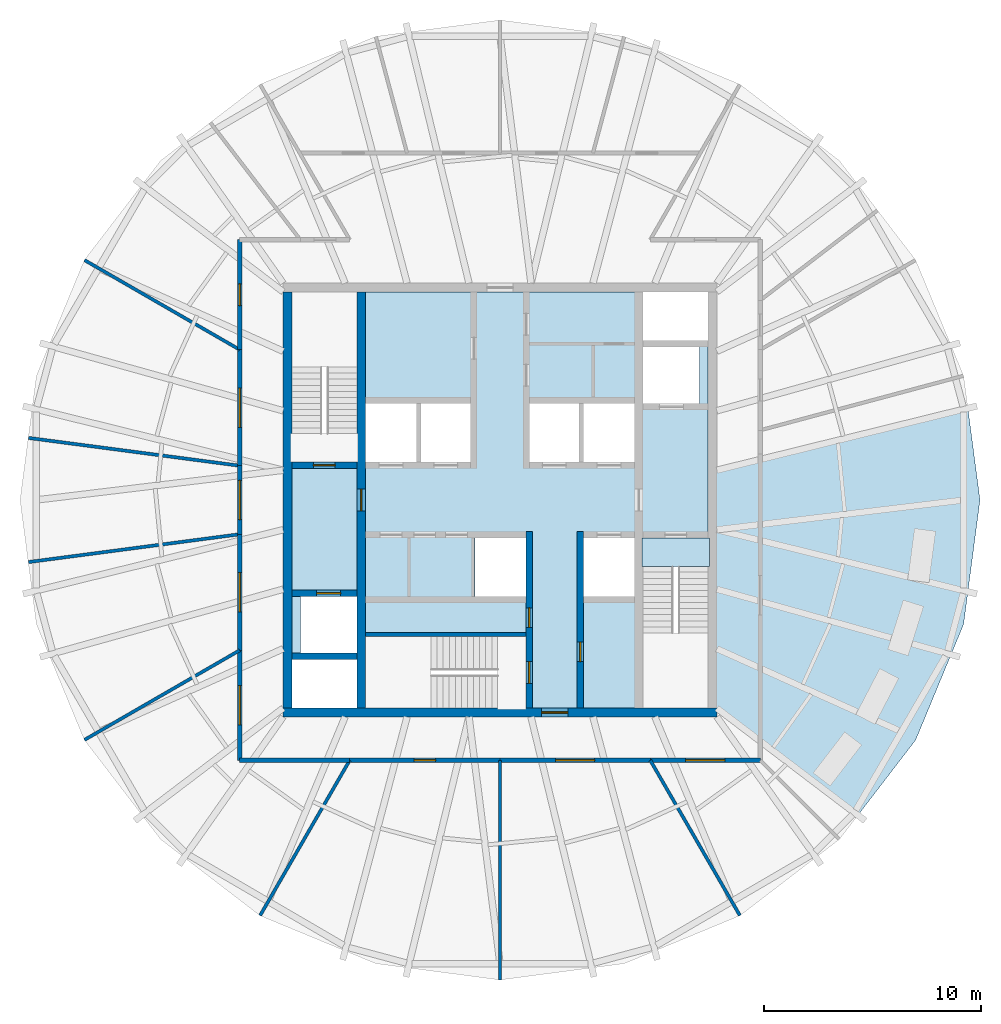
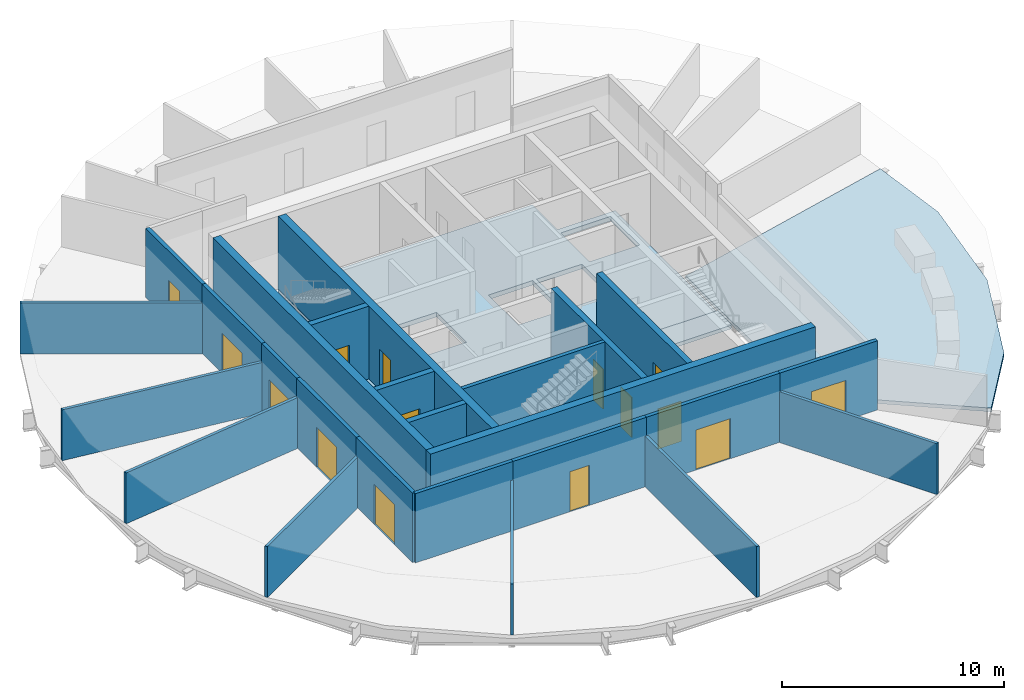
# One storey, part 3 of 7: 25 walls, 15 doors, 3 slabs, 15 openings.
"""IFC4 building model written with IfcOpenShell, lengths in metres."""

from ifc_helpers import new_model, si_unit, direction, frame, frame_2d, origin, place, context, subcontext, project, spatial, polyline, rectangle, outline, extrude, material, layer, layer_set, type_object, element, fill, save


model = new_model("IFC4")

# Units and contexts
model_context = context("Model", 3, precision=1e-05, world=origin(), true_north=direction((0.0, 1.0)))
body_context = subcontext(model_context, "Body", "Model", "MODEL_VIEW")
ifc_project = project(units=[si_unit("LENGTHUNIT", "METRE"), si_unit("AREAUNIT", "SQUARE_METRE"), si_unit("VOLUMEUNIT", "CUBIC_METRE"), si_unit("PLANEANGLEUNIT", "RADIAN"), si_unit("MASSUNIT", "GRAM", prefix="KILO")], contexts=[model_context])

# Site, building, storey
site_placement = place(None, origin())
site = spatial("IfcSite", under=ifc_project, at=site_placement, CompositionType="ELEMENT")
building_placement = place(site_placement, origin())
building = spatial("IfcBuilding", under=site, at=building_placement, Name="Golbaran Civic Tower", CompositionType="ELEMENT")
storey_placement = place(building_placement, frame((0.0, 0.0, 260.0)))
storey = spatial("IfcBuildingStorey", under=building, at=storey_placement, Name="L63", CompositionType="ELEMENT", Elevation=260.0)

# Slabs
ifc_material_1 = material(Name="Concrete LC30/33 lightweight on steel deck", Category="concrete")
ifc_layer_1 = layer(ifc_material_1, 0.199951171875, Name="Concrete LC30/33 lightweight on steel deck")
ifc_layer_set_1 = layer_set([ifc_layer_1], Name="Concrete LC30/33 lightweight on steel deck")
slab_type_1 = type_object("IfcSlabType", Name="COMPOSITE FLOOR SLAB 200", PredefinedType="FLOOR", material=ifc_layer_set_1)
slab_1_placement = place(storey_placement, frame((0.0, 0.0, -0.199951171875)))
element("IfcSlab", 1, at=slab_1_placement, inside=storey, type_object=slab_type_1, Name="Sky garden deck L63", PredefinedType="FLOOR", context=body_context, shape_type="SweptSolid", body=[
    extrude(outline(polyline([(16.50390625, -14.536865234375), (10.0, -9.60009765625), (9.800048828125, -9.407958984375), (9.800048828125, 1.343994140625), (10.0, 1.371337890625), (21.5751953125, 4.230712890625), (22.13232421875, 0.0), (21.378173828125, -5.728271484375), (19.167236328125, -11.066162109375), (16.50390625, -14.536865234375)])), origin(), (0.0, 0.0, 1.0), 0.199951171875),
])
ifc_material_2 = material(Name="Concrete C35/45", Category="concrete")
ifc_layer_2 = layer(ifc_material_2, 0.25, Name="Concrete C35/45")
ifc_layer_set_2 = layer_set([ifc_layer_2], Name="Concrete C35/45")
slab_type_2 = type_object("IfcSlabType", Name="CORE FLOOR SLAB 250", PredefinedType="FLOOR", material=ifc_layer_set_2)
slab_2_placement = place(storey_placement, frame((0.0, 0.0, -0.25)))
element("IfcSlab", 2, at=slab_2_placement, inside=storey, type_object=slab_type_2, Name="Core floor slab L63", PredefinedType="FLOOR", context=body_context, shape_type="SweptSolid", body=[
    extrude(outline(polyline([(6.60009765625, -1.75), (6.60009765625, -9.60009765625), (1.199951171875, -9.60009765625), (1.199951171875, -6.300048828125), (-6.199951171875, -6.300048828125), (-6.199951171875, -9.60009765625), (-6.60009765625, -9.60009765625), (-6.60009765625, -7.35009765625), (-9.60009765625, -7.35009765625), (-9.60009765625, 1.75), (-6.60009765625, 1.75), (-6.60009765625, 9.60009765625), (6.60009765625, 9.60009765625), (6.60009765625, 7.35009765625), (9.60009765625, 7.35009765625), (9.60009765625, -1.75), (6.60009765625, -1.75)]), holes=[polyline([(9.199951171875, 7.050048828125), (6.60009765625, 7.050048828125), (6.60009765625, 4.449951171875), (9.199951171875, 4.449951171875), (9.199951171875, 7.050048828125)]), polyline([(6.199951171875, -1.75), (3.85009765625, -1.75), (3.85009765625, -4.449951171875), (6.199951171875, -4.449951171875), (6.199951171875, -1.75)]), polyline([(6.199951171875, 4.449951171875), (3.85009765625, 4.449951171875), (3.85009765625, 1.75), (6.199951171875, 1.75), (6.199951171875, 4.449951171875)]), polyline([(3.64990234375, 4.449951171875), (1.35009765625, 4.449951171875), (1.35009765625, 1.75), (3.64990234375, 1.75), (3.64990234375, 4.449951171875)]), polyline([(-1.14990234375, -1.75), (-1.14990234375, -4.449951171875), (1.199951171875, -4.449951171875), (1.199951171875, -1.75), (-1.14990234375, -1.75)]), polyline([(-1.35009765625, 4.449951171875), (-3.64990234375, 4.449951171875), (-3.64990234375, 1.75), (-1.35009765625, 1.75), (-1.35009765625, 4.449951171875)]), polyline([(-3.85009765625, 4.449951171875), (-6.199951171875, 4.449951171875), (-6.199951171875, 1.75), (-3.85009765625, 1.75), (-3.85009765625, 4.449951171875)]), polyline([(-6.60009765625, -4.449951171875), (-9.199951171875, -4.449951171875), (-9.199951171875, -7.050048828125), (-6.60009765625, -7.050048828125), (-6.60009765625, -4.449951171875)])]), origin(), (0.0, 0.0, 1.0), 0.25),
])
ifc_layer_3 = layer(ifc_material_2, 0.199951171875, Name="Concrete C35/45")
ifc_layer_set_3 = layer_set([ifc_layer_3], Name="Concrete C35/45")
slab_type_3 = type_object("IfcSlabType", Name="STAIR LANDING 200", PredefinedType="LANDING", material=ifc_layer_set_3)
slab_3_placement = place(storey_placement, frame((0.0, 0.0, -0.199951171875)))
element("IfcSlab", 3, at=slab_3_placement, inside=storey, type_object=slab_type_3, Name="Stair S2 floor landing L63", PredefinedType="LANDING", context=body_context, shape_type="SweptSolid", body=[
    extrude(outline(polyline([(9.64990234375, -1.75), (9.64990234375, -3.054931640625), (6.550048828125, -3.054931640625), (6.550048828125, -1.75), (9.64990234375, -1.75)])), origin(), (0.0, 0.0, 1.0), 0.199951171875),
])

# Wall, opening, door
ifc_material_3 = material(Name="Concrete C50/60", Category="concrete")
ifc_layer_4 = layer(ifc_material_3, 0.39990234375, Name="Concrete C50/60")
ifc_layer_set_4 = layer_set([ifc_layer_4], Name="Concrete C50/60")
wall_type_1 = type_object("IfcWallType", Name="CORE WALL CONCRETE 400", PredefinedType="SOLIDWALL", material=ifc_layer_set_4)
wall_1_placement = place(storey_placement, frame((10.0, -9.800048828125, 0.0), z_axis=(0.0, 0.0, 1.0), x_axis=(-1.0, 0.0, 0.0)))
wall_1 = element("IfcWall", 4, at=wall_1_placement, inside=storey, type_object=wall_type_1, Name="Core wall CS L63", PredefinedType="SOLIDWALL", context=body_context, shape_type="SweptSolid", body=[
    extrude(rectangle(XDim=20.0, YDim=0.39990234375, at=frame_2d((10.0, 0.0))), origin(), (0.0, 0.0, 1.0), 4.0),
])
opening_1_placement = place(wall_1_placement, frame((6.875, 0.0, 0.0)))
opening_1 = element("IfcOpeningElement", 5, at=opening_1_placement, cuts=wall_1, Name="Opening L63.CS", PredefinedType="OPENING", context=body_context, shape_type="SweptSolid", body=[
    extrude(rectangle(XDim=1.199951171875, YDim=2.199951171875, at=frame_2d((0.60009765625, 1.10009765625))), frame((0.0, 0.2099609375, 0.0), z_axis=(0.0, -1.0, 0.0), x_axis=(1.0, 0.0, 0.0)), (0.0, 0.0, 1.0), 0.419921875),
])
ifc_material_4 = material(Name="Timber door set in steel frame", Category="steel")
door_type_1 = type_object("IfcDoorType", Name="CORE DOOR 1200x2200", OperationType="DOUBLE_DOOR_SINGLE_SWING", PredefinedType="DOOR", material=ifc_material_4)
door_1_placement = place(opening_1_placement, origin())
door_1 = element("IfcDoor", 6, at=door_1_placement, inside=storey, type_object=door_type_1, Name="Core door south", OperationType="DOUBLE_DOOR_SINGLE_SWING", OverallHeight=2.199951171875, OverallWidth=1.199951171875, PredefinedType="DOOR", context=body_context, shape_type="SweptSolid", body=[
    extrude(rectangle(XDim=1.199951171875, YDim=2.199951171875, at=frame_2d((0.60009765625, 1.10009765625))), frame((0.0, 0.02490234375, 0.0), z_axis=(0.0, -1.0, 0.0), x_axis=(1.0, 0.0, 0.0)), (0.0, 0.0, 1.0), 0.050048828125),
])
fill(opening_1, door_1)

# Wall
wall_2_placement = place(storey_placement, frame((-9.800048828125, 9.60009765625, 0.0), z_axis=(0.0, 0.0, 1.0), x_axis=(0.0, -1.0, 0.0)))
element("IfcWall", 7, at=wall_2_placement, inside=storey, type_object=wall_type_1, Name="Core wall CW L63", PredefinedType="SOLIDWALL", context=body_context, shape_type="SweptSolid", body=[
    extrude(rectangle(XDim=19.2001953125, YDim=0.39990234375, at=frame_2d((9.60009765625, 0.0))), origin(), (0.0, 0.0, 1.0), 4.0),
])

# Wall, opening, door
wall_3_placement = place(storey_placement, frame((-6.39990234375, -9.60009765625, 0.0), z_axis=(0.0, 0.0, 1.0), x_axis=(0.0, 1.0, 0.0)))
wall_3 = element("IfcWall", 8, at=wall_3_placement, inside=storey, type_object=wall_type_1, Name="Core wall IW L63", PredefinedType="SOLIDWALL", context=body_context, shape_type="SweptSolid", body=[
    extrude(rectangle(XDim=19.2001953125, YDim=0.39990234375, at=frame_2d((9.60009765625, 0.0))), origin(), (0.0, 0.0, 1.0), 4.0),
])
opening_2_placement = place(wall_3_placement, frame((9.10009765625, 0.0, 0.0)))
opening_2 = element("IfcOpeningElement", 9, at=opening_2_placement, cuts=wall_3, Name="Opening L63.FL1", PredefinedType="OPENING", context=body_context, shape_type="SweptSolid", body=[
    extrude(rectangle(XDim=1.0, YDim=2.199951171875, at=frame_2d((0.5, 1.10009765625))), frame((0.0, 0.2099609375, 0.0), z_axis=(0.0, -1.0, 0.0), x_axis=(1.0, 0.0, 0.0)), (0.0, 0.0, 1.0), 0.419921875),
])
door_type_2 = type_object("IfcDoorType", Name="STAIR DOOR 1000x2200", OperationType="SINGLE_SWING_LEFT", PredefinedType="DOOR", material=ifc_material_4)
door_2_placement = place(opening_2_placement, origin())
door_2 = element("IfcDoor", 10, at=door_2_placement, inside=storey, type_object=door_type_2, Name="Fire-fighting lobby FL1 door", OperationType="SINGLE_SWING_LEFT", OverallHeight=2.199951171875, OverallWidth=1.0, PredefinedType="DOOR", context=body_context, shape_type="SweptSolid", body=[
    extrude(rectangle(XDim=1.0, YDim=2.199951171875, at=frame_2d((0.5, 1.10009765625))), frame((0.0, 0.02490234375, 0.0), z_axis=(0.0, -1.0, 0.0), x_axis=(1.0, 0.0, 0.0)), (0.0, 0.0, 1.0), 0.050048828125),
])
fill(opening_2, door_2)

ifc_material_5 = material(Name="Gypsum board on steel studs, fire-rated", Category="steel")
ifc_layer_5 = layer(ifc_material_5, 0.199951171875, Name="Gypsum board on steel studs, fire-rated")
ifc_layer_set_5 = layer_set([ifc_layer_5], Name="Gypsum board on steel studs, fire-rated")
wall_type_2 = type_object("IfcWallType", Name="CORRIDOR WALL 200", PredefinedType="PARTITIONING", material=ifc_layer_set_5)
wall_4_placement = place(storey_placement, frame((-12.0, 12.0, 0.0), z_axis=(0.0, 0.0, 1.0), x_axis=(0.0, -1.0, 0.0)))
wall_4 = element("IfcWall", 11, at=wall_4_placement, inside=storey, type_object=wall_type_2, Name="Corridor wall L63", PredefinedType="PARTITIONING", context=body_context, shape_type="SweptSolid", body=[
    extrude(rectangle(XDim=5.07177734375, YDim=0.199951171875, at=frame_2d((2.535888671875, 0.0))), origin(), (0.0, 0.0, 1.0), 3.800048828125),
])
opening_3_placement = place(wall_4_placement, frame((2.035888671875, 0.0, 0.0)))
opening_3 = element("IfcOpeningElement", 12, at=opening_3_placement, cuts=wall_4, Name="Opening L63.10", PredefinedType="OPENING", context=body_context, shape_type="SweptSolid", body=[
    extrude(rectangle(XDim=1.0, YDim=2.199951171875, at=frame_2d((0.5, 1.10009765625))), frame((0.0, 0.10986328125, 0.0), z_axis=(0.0, -1.0, 0.0), x_axis=(1.0, 0.0, 0.0)), (0.0, 0.0, 1.0), 0.219970703125),
])
door_type_3 = type_object("IfcDoorType", Name="OFFICE DOOR 1000x2200", OperationType="SINGLE_SWING_LEFT", PredefinedType="DOOR", material=ifc_material_4)
door_3_placement = place(opening_3_placement, origin())
door_3 = element("IfcDoor", 13, at=door_3_placement, inside=storey, type_object=door_type_3, Name="Office door L63", OperationType="SINGLE_SWING_RIGHT", OverallHeight=2.199951171875, OverallWidth=1.0, PredefinedType="DOOR", context=body_context, shape_type="SweptSolid", body=[
    extrude(rectangle(XDim=1.0, YDim=2.199951171875, at=frame_2d((0.5, 1.10009765625))), frame((0.0, 0.02490234375, 0.0), z_axis=(0.0, -1.0, 0.0), x_axis=(1.0, 0.0, 0.0)), (0.0, 0.0, 1.0), 0.050048828125),
])
fill(opening_3, door_3)

wall_5_placement = place(storey_placement, frame((-12.0, 6.92822265625, 0.0), z_axis=(0.0, 0.0, 1.0), x_axis=(0.0, -1.0, 0.0)))
wall_5 = element("IfcWall", 14, at=wall_5_placement, inside=storey, type_object=wall_type_2, Name="Corridor wall L63", PredefinedType="PARTITIONING", context=body_context, shape_type="SweptSolid", body=[
    extrude(rectangle(XDim=5.348388671875, YDim=0.199951171875, at=frame_2d((2.67431640625, 0.0))), origin(), (0.0, 0.0, 1.0), 3.800048828125),
])
opening_4_placement = place(wall_5_placement, frame((1.774169921875, 0.0, 0.0)))
opening_4 = element("IfcOpeningElement", 15, at=opening_4_placement, cuts=wall_5, Name="Opening L63.11", PredefinedType="OPENING", context=body_context, shape_type="SweptSolid", body=[
    extrude(rectangle(XDim=1.800048828125, YDim=2.199951171875, at=frame_2d((0.89990234375, 1.10009765625))), frame((0.0, 0.10986328125, 0.0), z_axis=(0.0, -1.0, 0.0), x_axis=(1.0, 0.0, 0.0)), (0.0, 0.0, 1.0), 0.219970703125),
])
door_type_4 = type_object("IfcDoorType", Name="OFFICE DOUBLE DOOR 1800x2200", OperationType="DOUBLE_DOOR_SINGLE_SWING", PredefinedType="DOOR", material=ifc_material_4)
door_4_placement = place(opening_4_placement, origin())
door_4 = element("IfcDoor", 16, at=door_4_placement, inside=storey, type_object=door_type_4, Name="Open Office door L63", OperationType="DOUBLE_DOOR_SINGLE_SWING", OverallHeight=2.199951171875, OverallWidth=1.800048828125, PredefinedType="DOOR", context=body_context, shape_type="SweptSolid", body=[
    extrude(rectangle(XDim=1.800048828125, YDim=2.199951171875, at=frame_2d((0.89990234375, 1.10009765625))), frame((0.0, 0.02490234375, 0.0), z_axis=(0.0, -1.0, 0.0), x_axis=(1.0, 0.0, 0.0)), (0.0, 0.0, 1.0), 0.050048828125),
])
fill(opening_4, door_4)

wall_6_placement = place(storey_placement, frame((-12.0, 1.579833984375, 0.0), z_axis=(0.0, 0.0, 1.0), x_axis=(0.0, -1.0, 0.0)))
wall_6 = element("IfcWall", 17, at=wall_6_placement, inside=storey, type_object=wall_type_2, Name="Corridor wall L63", PredefinedType="PARTITIONING", context=body_context, shape_type="SweptSolid", body=[
    extrude(rectangle(XDim=3.15966796875, YDim=0.199951171875, at=frame_2d((1.579833984375, 0.0))), origin(), (0.0, 0.0, 1.0), 3.800048828125),
])
opening_5_placement = place(wall_6_placement, frame((0.679931640625, 0.0, 0.0)))
opening_5 = element("IfcOpeningElement", 18, at=opening_5_placement, cuts=wall_6, Name="Opening L63.12", PredefinedType="OPENING", context=body_context, shape_type="SweptSolid", body=[
    extrude(rectangle(XDim=1.800048828125, YDim=2.199951171875, at=frame_2d((0.89990234375, 1.10009765625))), frame((0.0, 0.10986328125, 0.0), z_axis=(0.0, -1.0, 0.0), x_axis=(1.0, 0.0, 0.0)), (0.0, 0.0, 1.0), 0.219970703125),
])
door_5_placement = place(opening_5_placement, origin())
door_5 = element("IfcDoor", 19, at=door_5_placement, inside=storey, type_object=door_type_4, Name="Open Office door L63", OperationType="DOUBLE_DOOR_SINGLE_SWING", OverallHeight=2.199951171875, OverallWidth=1.800048828125, PredefinedType="DOOR", context=body_context, shape_type="SweptSolid", body=[
    extrude(rectangle(XDim=1.800048828125, YDim=2.199951171875, at=frame_2d((0.89990234375, 1.10009765625))), frame((0.0, 0.02490234375, 0.0), z_axis=(0.0, -1.0, 0.0), x_axis=(1.0, 0.0, 0.0)), (0.0, 0.0, 1.0), 0.050048828125),
])
fill(opening_5, door_5)

wall_7_placement = place(storey_placement, frame((-12.0, -1.579833984375, 0.0), z_axis=(0.0, 0.0, 1.0), x_axis=(0.0, -1.0, 0.0)))
wall_7 = element("IfcWall", 20, at=wall_7_placement, inside=storey, type_object=wall_type_2, Name="Corridor wall L63", PredefinedType="PARTITIONING", context=body_context, shape_type="SweptSolid", body=[
    extrude(rectangle(XDim=5.348388671875, YDim=0.199951171875, at=frame_2d((2.67431640625, 0.0))), origin(), (0.0, 0.0, 1.0), 3.800048828125),
])
opening_6_placement = place(wall_7_placement, frame((1.774169921875, 0.0, 0.0)))
opening_6 = element("IfcOpeningElement", 21, at=opening_6_placement, cuts=wall_7, Name="Opening L63.13", PredefinedType="OPENING", context=body_context, shape_type="SweptSolid", body=[
    extrude(rectangle(XDim=1.800048828125, YDim=2.199951171875, at=frame_2d((0.89990234375, 1.10009765625))), frame((0.0, 0.10986328125, 0.0), z_axis=(0.0, -1.0, 0.0), x_axis=(1.0, 0.0, 0.0)), (0.0, 0.0, 1.0), 0.219970703125),
])
door_6_placement = place(opening_6_placement, origin())
door_6 = element("IfcDoor", 22, at=door_6_placement, inside=storey, type_object=door_type_4, Name="Open Office door L63", OperationType="DOUBLE_DOOR_SINGLE_SWING", OverallHeight=2.199951171875, OverallWidth=1.800048828125, PredefinedType="DOOR", context=body_context, shape_type="SweptSolid", body=[
    extrude(rectangle(XDim=1.800048828125, YDim=2.199951171875, at=frame_2d((0.89990234375, 1.10009765625))), frame((0.0, 0.02490234375, 0.0), z_axis=(0.0, -1.0, 0.0), x_axis=(1.0, 0.0, 0.0)), (0.0, 0.0, 1.0), 0.050048828125),
])
fill(opening_6, door_6)

wall_8_placement = place(storey_placement, frame((-12.0, -6.92822265625, 0.0), z_axis=(0.0, 0.0, 1.0), x_axis=(0.0, -1.0, 0.0)))
wall_8 = element("IfcWall", 23, at=wall_8_placement, inside=storey, type_object=wall_type_2, Name="Corridor wall L63", PredefinedType="PARTITIONING", context=body_context, shape_type="SweptSolid", body=[
    extrude(rectangle(XDim=5.07177734375, YDim=0.199951171875, at=frame_2d((2.535888671875, 0.0))), origin(), (0.0, 0.0, 1.0), 3.800048828125),
])
opening_7_placement = place(wall_8_placement, frame((1.635986328125, 0.0, 0.0)))
opening_7 = element("IfcOpeningElement", 24, at=opening_7_placement, cuts=wall_8, Name="Opening L63.14", PredefinedType="OPENING", context=body_context, shape_type="SweptSolid", body=[
    extrude(rectangle(XDim=1.800048828125, YDim=2.199951171875, at=frame_2d((0.89990234375, 1.10009765625))), frame((0.0, 0.10986328125, 0.0), z_axis=(0.0, -1.0, 0.0), x_axis=(1.0, 0.0, 0.0)), (0.0, 0.0, 1.0), 0.219970703125),
])
door_7_placement = place(opening_7_placement, origin())
door_7 = element("IfcDoor", 25, at=door_7_placement, inside=storey, type_object=door_type_4, Name="Open Office door L63", OperationType="DOUBLE_DOOR_SINGLE_SWING", OverallHeight=2.199951171875, OverallWidth=1.800048828125, PredefinedType="DOOR", context=body_context, shape_type="SweptSolid", body=[
    extrude(rectangle(XDim=1.800048828125, YDim=2.199951171875, at=frame_2d((0.89990234375, 1.10009765625))), frame((0.0, 0.02490234375, 0.0), z_axis=(0.0, -1.0, 0.0), x_axis=(1.0, 0.0, 0.0)), (0.0, 0.0, 1.0), 0.050048828125),
])
fill(opening_7, door_7)

# Wall
wall_9_placement = place(storey_placement, frame((-12.0, -12.0, 0.0), z_axis=(0.0, 0.0, 1.0), x_axis=(1.0, 0.0, 0.0)))
element("IfcWall", 26, at=wall_9_placement, inside=storey, type_object=wall_type_2, Name="Corridor wall L63", PredefinedType="PARTITIONING", context=body_context, shape_type="SweptSolid", body=[
    extrude(rectangle(XDim=5.07177734375, YDim=0.199951171875, at=frame_2d((2.535888671875, 0.0))), origin(), (0.0, 0.0, 1.0), 3.800048828125),
])

# Wall, opening, door
wall_10_placement = place(storey_placement, frame((-6.92822265625, -12.0, 0.0), z_axis=(0.0, 0.0, 1.0), x_axis=(1.0, 0.0, 0.0)))
wall_10 = element("IfcWall", 27, at=wall_10_placement, inside=storey, type_object=wall_type_2, Name="Corridor wall L63", PredefinedType="PARTITIONING", context=body_context, shape_type="SweptSolid", body=[
    extrude(rectangle(XDim=6.92822265625, YDim=0.199951171875, at=frame_2d((3.464111328125, 0.0))), origin(), (0.0, 0.0, 1.0), 3.800048828125),
])
opening_8_placement = place(wall_10_placement, frame((2.964111328125, 0.0, 0.0)))
opening_8 = element("IfcOpeningElement", 28, at=opening_8_placement, cuts=wall_10, Name="Opening L63.15", PredefinedType="OPENING", context=body_context, shape_type="SweptSolid", body=[
    extrude(rectangle(XDim=1.0, YDim=2.199951171875, at=frame_2d((0.5, 1.10009765625))), frame((0.0, 0.10986328125, 0.0), z_axis=(0.0, -1.0, 0.0), x_axis=(1.0, 0.0, 0.0)), (0.0, 0.0, 1.0), 0.219970703125),
])
door_8_placement = place(opening_8_placement, origin())
door_8 = element("IfcDoor", 29, at=door_8_placement, inside=storey, type_object=door_type_3, Name="Meeting Room door L63", OperationType="SINGLE_SWING_LEFT", OverallHeight=2.199951171875, OverallWidth=1.0, PredefinedType="DOOR", context=body_context, shape_type="SweptSolid", body=[
    extrude(rectangle(XDim=1.0, YDim=2.199951171875, at=frame_2d((0.5, 1.10009765625))), frame((0.0, 0.02490234375, 0.0), z_axis=(0.0, -1.0, 0.0), x_axis=(1.0, 0.0, 0.0)), (0.0, 0.0, 1.0), 0.050048828125),
])
fill(opening_8, door_8)

wall_11_placement = place(storey_placement, frame((0.0, -12.0, 0.0), z_axis=(0.0, 0.0, 1.0), x_axis=(1.0, 0.0, 0.0)))
wall_11 = element("IfcWall", 30, at=wall_11_placement, inside=storey, type_object=wall_type_2, Name="Corridor wall L63", PredefinedType="PARTITIONING", context=body_context, shape_type="SweptSolid", body=[
    extrude(rectangle(XDim=6.92822265625, YDim=0.199951171875, at=frame_2d((3.464111328125, 0.0))), origin(), (0.0, 0.0, 1.0), 3.800048828125),
])
opening_9_placement = place(wall_11_placement, frame((2.564208984375, 0.0, 0.0)))
opening_9 = element("IfcOpeningElement", 31, at=opening_9_placement, cuts=wall_11, Name="Opening L63.16", PredefinedType="OPENING", context=body_context, shape_type="SweptSolid", body=[
    extrude(rectangle(XDim=1.800048828125, YDim=2.199951171875, at=frame_2d((0.89990234375, 1.10009765625))), frame((0.0, 0.10986328125, 0.0), z_axis=(0.0, -1.0, 0.0), x_axis=(1.0, 0.0, 0.0)), (0.0, 0.0, 1.0), 0.219970703125),
])
door_9_placement = place(opening_9_placement, origin())
door_9 = element("IfcDoor", 32, at=door_9_placement, inside=storey, type_object=door_type_4, Name="Conference Room door L63", OperationType="DOUBLE_DOOR_SINGLE_SWING", OverallHeight=2.199951171875, OverallWidth=1.800048828125, PredefinedType="DOOR", context=body_context, shape_type="SweptSolid", body=[
    extrude(rectangle(XDim=1.800048828125, YDim=2.199951171875, at=frame_2d((0.89990234375, 1.10009765625))), frame((0.0, 0.02490234375, 0.0), z_axis=(0.0, -1.0, 0.0), x_axis=(1.0, 0.0, 0.0)), (0.0, 0.0, 1.0), 0.050048828125),
])
fill(opening_9, door_9)

wall_12_placement = place(storey_placement, frame((6.92822265625, -12.0, 0.0), z_axis=(0.0, 0.0, 1.0), x_axis=(1.0, 0.0, 0.0)))
wall_12 = element("IfcWall", 33, at=wall_12_placement, inside=storey, type_object=wall_type_2, Name="Corridor wall L63", PredefinedType="PARTITIONING", context=body_context, shape_type="SweptSolid", body=[
    extrude(rectangle(XDim=5.07177734375, YDim=0.199951171875, at=frame_2d((2.535888671875, 0.0))), origin(), (0.0, 0.0, 1.0), 3.800048828125),
])
opening_10_placement = place(wall_12_placement, frame((1.635986328125, 0.0, 0.0)))
opening_10 = element("IfcOpeningElement", 34, at=opening_10_placement, cuts=wall_12, Name="Opening L63.17", PredefinedType="OPENING", context=body_context, shape_type="SweptSolid", body=[
    extrude(rectangle(XDim=1.800048828125, YDim=2.199951171875, at=frame_2d((0.89990234375, 1.10009765625))), frame((0.0, 0.10986328125, 0.0), z_axis=(0.0, -1.0, 0.0), x_axis=(1.0, 0.0, 0.0)), (0.0, 0.0, 1.0), 0.219970703125),
])
door_10_placement = place(opening_10_placement, origin())
door_10 = element("IfcDoor", 35, at=door_10_placement, inside=storey, type_object=door_type_4, Name="Staff Lounge door L63", OperationType="DOUBLE_DOOR_SINGLE_SWING", OverallHeight=2.199951171875, OverallWidth=1.800048828125, PredefinedType="DOOR", context=body_context, shape_type="SweptSolid", body=[
    extrude(rectangle(XDim=1.800048828125, YDim=2.199951171875, at=frame_2d((0.89990234375, 1.10009765625))), frame((0.0, 0.02490234375, 0.0), z_axis=(0.0, -1.0, 0.0), x_axis=(1.0, 0.0, 0.0)), (0.0, 0.0, 1.0), 0.050048828125),
])
fill(opening_10, door_10)

# Walls
ifc_material_6 = material(Name="Gypsum board on steel studs", Category="steel")
ifc_layer_6 = layer(ifc_material_6, 0.14990234375, Name="Gypsum board on steel studs")
ifc_layer_set_6 = layer_set([ifc_layer_6], Name="Gypsum board on steel studs")
wall_type_3 = type_object("IfcWallType", Name="OFFICE PARTITION 150", PredefinedType="PARTITIONING", material=ifc_layer_set_6)
wall_13_placement = place(storey_placement, frame((-12.0, 6.92822265625, 0.0), z_axis=(0.0, 0.0, 1.0), x_axis=(-0.86603163534, 0.499989206474, 0.0)))
element("IfcWall", 36, at=wall_13_placement, inside=storey, type_object=wall_type_3, Name="Partition 150 L63", PredefinedType="PARTITIONING", context=body_context, shape_type="SweptSolid", body=[
    extrude(rectangle(XDim=8.265869140625, YDim=0.14990234375, at=frame_2d((4.1328125, 0.0))), origin(), (0.0, 0.0, 1.0), 2.7900390625),
])
for number, where, z_axis, x_axis, name in (
    (37, (-12.0, 1.579833984375, 0.0), (0.0, 0.0, 1.0), (-0.991445416611, 0.130521974705, 0.0), "Partition 172.5 L63"),
    (38, (-12.0, -1.579833984375, 0.0), (0.0, 0.0, 1.0), (-0.991445416611, -0.130521974705, 0.0), "Partition 187.5 L63"),
):
    element("IfcWall", number, at=place(storey_placement, frame(where, z_axis=z_axis, x_axis=x_axis)), inside=storey, type_object=wall_type_3, Name=name, PredefinedType="PARTITIONING", context=body_context, shape_type="SweptSolid", body=[
        extrude(rectangle(XDim=9.829345703125, YDim=0.14990234375, at=frame_2d((4.91455078125, 0.0))), origin(), (0.0, 0.0, 1.0), 2.7900390625),
    ])
for number, where, z_axis, x_axis, name in (
    (39, (-12.0, -6.92822265625, 0.0), (0.0, 0.0, 1.0), (-0.86603163534, -0.499989206474, 0.0), "Partition 210 L63"),
    (40, (-6.92822265625, -12.0, 0.0), (0.0, 0.0, 1.0), (-0.499989206474, -0.86603163534, 0.0), "Partition 240 L63"),
):
    element("IfcWall", number, at=place(storey_placement, frame(where, z_axis=z_axis, x_axis=x_axis)), inside=storey, type_object=wall_type_3, Name=name, PredefinedType="PARTITIONING", context=body_context, shape_type="SweptSolid", body=[
        extrude(rectangle(XDim=8.265869140625, YDim=0.14990234375, at=frame_2d((4.1328125, 0.0))), origin(), (0.0, 0.0, 1.0), 2.7900390625),
    ])
wall_14_placement = place(storey_placement, frame((0.0, -12.0, 0.0), z_axis=(0.0, 0.0, 1.0), x_axis=(0.0, -1.0, 0.0)))
element("IfcWall", 41, at=wall_14_placement, inside=storey, type_object=wall_type_3, Name="Partition 270 L63", PredefinedType="PARTITIONING", context=body_context, shape_type="SweptSolid", body=[
    extrude(rectangle(XDim=10.122314453125, YDim=0.14990234375, at=frame_2d((5.06103515625, 0.0))), origin(), (0.0, 0.0, 1.0), 2.7900390625),
])
wall_15_placement = place(storey_placement, frame((6.92822265625, -12.0, 0.0), z_axis=(0.0, 0.0, 1.0), x_axis=(0.499989206474, -0.86603163534, 0.0)))
element("IfcWall", 42, at=wall_15_placement, inside=storey, type_object=wall_type_3, Name="Partition 300 L63", PredefinedType="PARTITIONING", context=body_context, shape_type="SweptSolid", body=[
    extrude(rectangle(XDim=8.265869140625, YDim=0.14990234375, at=frame_2d((4.1328125, 0.0))), origin(), (0.0, 0.0, 1.0), 2.7900390625),
])
ifc_layer_7 = layer(ifc_material_3, 0.199951171875, Name="Concrete C50/60")
ifc_layer_set_7 = layer_set([ifc_layer_7], Name="Concrete C50/60")
wall_type_4 = type_object("IfcWallType", Name="SHAFT WALL CONCRETE 200", PredefinedType="SOLIDWALL", material=ifc_layer_set_7)
wall_16_placement = place(storey_placement, frame((-6.199951171875, -6.199951171875, 0.0), z_axis=(0.0, 0.0, 1.0), x_axis=(1.0, 0.0, 0.0)))
element("IfcWall", 43, at=wall_16_placement, inside=storey, type_object=wall_type_4, Name="Core wall S3N L63", PredefinedType="SOLIDWALL", context=body_context, shape_type="SweptSolid", body=[
    extrude(rectangle(XDim=7.39990234375, YDim=0.199951171875, at=frame_2d((3.699951171875, 0.0))), origin(), (0.0, 0.0, 1.0), 4.0),
])

# Wall, openings, doors
ifc_layer_8 = layer(ifc_material_3, 0.300048828125, Name="Concrete C50/60")
ifc_layer_set_8 = layer_set([ifc_layer_8], Name="Concrete C50/60")
wall_type_5 = type_object("IfcWallType", Name="SHAFT WALL CONCRETE 300", PredefinedType="SOLIDWALL", material=ifc_layer_set_8)
wall_17_placement = place(storey_placement, frame((1.35009765625, -1.449951171875, 0.0), z_axis=(0.0, 0.0, 1.0), x_axis=(0.0, -1.0, 0.0)))
wall_17 = element("IfcWall", 44, at=wall_17_placement, inside=storey, type_object=wall_type_5, Name="Core wall PSW L63", PredefinedType="SOLIDWALL", context=body_context, shape_type="SweptSolid", body=[
    extrude(rectangle(XDim=8.150146484375, YDim=0.300048828125, at=frame_2d((4.0751953125, 0.0))), origin(), (0.0, 0.0, 1.0), 4.0),
])
opening_11_placement = place(wall_17_placement, frame((6.0, 0.0, 0.0)))
opening_11 = element("IfcOpeningElement", 45, at=opening_11_placement, cuts=wall_17, Name="Opening L63.S3", PredefinedType="OPENING", context=body_context, shape_type="SweptSolid", body=[
    extrude(rectangle(XDim=1.0, YDim=2.199951171875, at=frame_2d((0.5, 1.10009765625))), frame((0.0, 0.159912109375, 0.0), z_axis=(0.0, -1.0, 0.0), x_axis=(1.0, 0.0, 0.0)), (0.0, 0.0, 1.0), 0.320068359375),
])
opening_12_placement = place(wall_17_placement, frame((3.52490234375, 0.0, 0.0)))
opening_12 = element("IfcOpeningElement", 46, at=opening_12_placement, cuts=wall_17, Name="Opening L63.RE", PredefinedType="OPENING", context=body_context, shape_type="SweptSolid", body=[
    extrude(rectangle(XDim=0.89990234375, YDim=2.199951171875, at=frame_2d((0.449951171875, 1.10009765625))), frame((0.0, 0.159912109375, 0.0), z_axis=(0.0, -1.0, 0.0), x_axis=(1.0, 0.0, 0.0)), (0.0, 0.0, 1.0), 0.320068359375),
])
door_type_5 = type_object("IfcDoorType", Name="RISER DOOR 900x2200", OperationType="SINGLE_SWING_LEFT", PredefinedType="DOOR", material=ifc_material_4)
door_11_placement = place(opening_12_placement, origin())
door_11 = element("IfcDoor", 47, at=door_11_placement, inside=storey, type_object=door_type_5, Name="Electrical riser door", OperationType="SINGLE_SWING_LEFT", OverallHeight=2.199951171875, OverallWidth=0.89990234375, PredefinedType="DOOR", context=body_context, shape_type="SweptSolid", body=[
    extrude(rectangle(XDim=0.89990234375, YDim=2.199951171875, at=frame_2d((0.449951171875, 1.10009765625))), frame((0.0, 0.02490234375, 0.0), z_axis=(0.0, -1.0, 0.0), x_axis=(1.0, 0.0, 0.0)), (0.0, 0.0, 1.0), 0.050048828125),
])
fill(opening_12, door_11)
door_12_placement = place(opening_11_placement, origin())
door_12 = element("IfcDoor", 48, at=door_12_placement, inside=storey, type_object=door_type_2, Name="Stair S3 door", OperationType="SINGLE_SWING_RIGHT", OverallHeight=2.199951171875, OverallWidth=1.0, PredefinedType="DOOR", context=body_context, shape_type="SweptSolid", body=[
    extrude(rectangle(XDim=1.0, YDim=2.199951171875, at=frame_2d((0.5, 1.10009765625))), frame((0.0, 0.02490234375, 0.0), z_axis=(0.0, -1.0, 0.0), x_axis=(1.0, 0.0, 0.0)), (0.0, 0.0, 1.0), 0.050048828125),
])
fill(opening_11, door_12)

# Wall, opening, door
wall_18_placement = place(storey_placement, frame((3.699951171875, -1.449951171875, 0.0), z_axis=(0.0, 0.0, 1.0), x_axis=(0.0, -1.0, 0.0)))
wall_18 = element("IfcWall", 49, at=wall_18_placement, inside=storey, type_object=wall_type_5, Name="Core wall PSE L63", PredefinedType="SOLIDWALL", context=body_context, shape_type="SweptSolid", body=[
    extrude(rectangle(XDim=8.150146484375, YDim=0.300048828125, at=frame_2d((4.0751953125, 0.0))), origin(), (0.0, 0.0, 1.0), 4.0),
])
opening_13_placement = place(wall_18_placement, frame((5.10009765625, 0.0, 0.0)))
opening_13 = element("IfcOpeningElement", 50, at=opening_13_placement, cuts=wall_18, Name="Opening L63.RM", PredefinedType="OPENING", context=body_context, shape_type="SweptSolid", body=[
    extrude(rectangle(XDim=0.89990234375, YDim=2.199951171875, at=frame_2d((0.449951171875, 1.10009765625))), frame((0.0, 0.159912109375, 0.0), z_axis=(0.0, -1.0, 0.0), x_axis=(1.0, 0.0, 0.0)), (0.0, 0.0, 1.0), 0.320068359375),
])
door_13_placement = place(opening_13_placement, origin())
door_13 = element("IfcDoor", 51, at=door_13_placement, inside=storey, type_object=door_type_5, Name="Mechanical riser door", OperationType="SINGLE_SWING_RIGHT", OverallHeight=2.199951171875, OverallWidth=0.89990234375, PredefinedType="DOOR", context=body_context, shape_type="SweptSolid", body=[
    extrude(rectangle(XDim=0.89990234375, YDim=2.199951171875, at=frame_2d((0.449951171875, 1.10009765625))), frame((0.0, 0.02490234375, 0.0), z_axis=(0.0, -1.0, 0.0), x_axis=(1.0, 0.0, 0.0)), (0.0, 0.0, 1.0), 0.050048828125),
])
fill(opening_13, door_13)

wall_19_placement = place(storey_placement, frame((-9.60009765625, 1.60009765625, 0.0), z_axis=(0.0, 0.0, 1.0), x_axis=(1.0, 0.0, 0.0)))
wall_19 = element("IfcWall", 52, at=wall_19_placement, inside=storey, type_object=wall_type_5, Name="Core wall XW1 L63", PredefinedType="SOLIDWALL", context=body_context, shape_type="SweptSolid", body=[
    extrude(rectangle(XDim=3.0, YDim=0.300048828125, at=frame_2d((1.5, 0.0))), origin(), (0.0, 0.0, 1.0), 4.0),
])
opening_14_placement = place(wall_19_placement, frame((1.0, 0.0, 0.0)))
opening_14 = element("IfcOpeningElement", 53, at=opening_14_placement, cuts=wall_19, Name="Opening L63.S1", PredefinedType="OPENING", context=body_context, shape_type="SweptSolid", body=[
    extrude(rectangle(XDim=1.0, YDim=2.199951171875, at=frame_2d((0.5, 1.10009765625))), frame((0.0, 0.159912109375, 0.0), z_axis=(0.0, -1.0, 0.0), x_axis=(1.0, 0.0, 0.0)), (0.0, 0.0, 1.0), 0.320068359375),
])
door_14_placement = place(opening_14_placement, origin())
door_14 = element("IfcDoor", 54, at=door_14_placement, inside=storey, type_object=door_type_2, Name="Stair S1 door", OperationType="SINGLE_SWING_LEFT", OverallHeight=2.199951171875, OverallWidth=1.0, PredefinedType="DOOR", context=body_context, shape_type="SweptSolid", body=[
    extrude(rectangle(XDim=1.0, YDim=2.199951171875, at=frame_2d((0.5, 1.10009765625))), frame((0.0, 0.02490234375, 0.0), z_axis=(0.0, -1.0, 0.0), x_axis=(1.0, 0.0, 0.0)), (0.0, 0.0, 1.0), 0.050048828125),
])
fill(opening_14, door_14)

wall_20_placement = place(storey_placement, frame((-9.60009765625, -4.300048828125, 0.0), z_axis=(0.0, 0.0, 1.0), x_axis=(1.0, 0.0, 0.0)))
wall_20 = element("IfcWall", 55, at=wall_20_placement, inside=storey, type_object=wall_type_5, Name="Core wall XW2 L63", PredefinedType="SOLIDWALL", context=body_context, shape_type="SweptSolid", body=[
    extrude(rectangle(XDim=3.0, YDim=0.300048828125, at=frame_2d((1.5, 0.0))), origin(), (0.0, 0.0, 1.0), 4.0),
])
opening_15_placement = place(wall_20_placement, frame((1.14990234375, 0.0, 0.0)))
opening_15 = element("IfcOpeningElement", 56, at=opening_15_placement, cuts=wall_20, Name="Opening L63.LD-F1", PredefinedType="OPENING", context=body_context, shape_type="SweptSolid", body=[
    extrude(rectangle(XDim=1.10009765625, YDim=2.199951171875, at=frame_2d((0.550048828125, 1.10009765625))), frame((0.0, 0.159912109375, 0.0), z_axis=(0.0, -1.0, 0.0), x_axis=(1.0, 0.0, 0.0)), (0.0, 0.0, 1.0), 0.320068359375),
])
ifc_material_7 = material(Name="Stainless steel", Category="steel")
door_type_6 = type_object("IfcDoorType", Name="LIFT LANDING DOOR 1100x2200", OperationType="SLIDING_TO_LEFT", PredefinedType="DOOR", material=ifc_material_7)
door_15_placement = place(opening_15_placement, origin())
door_15 = element("IfcDoor", 57, at=door_15_placement, inside=storey, type_object=door_type_6, Name="Lift landing door F1", OperationType="SLIDING_TO_LEFT", OverallHeight=2.199951171875, OverallWidth=1.10009765625, PredefinedType="DOOR", context=body_context, shape_type="SweptSolid", body=[
    extrude(rectangle(XDim=1.10009765625, YDim=2.199951171875, at=frame_2d((0.550048828125, 1.10009765625))), frame((0.0, 0.02490234375, 0.0), z_axis=(0.0, -1.0, 0.0), x_axis=(1.0, 0.0, 0.0)), (0.0, 0.0, 1.0), 0.050048828125),
])
fill(opening_15, door_15)

# Wall
wall_21_placement = place(storey_placement, frame((-9.60009765625, -7.199951171875, 0.0), z_axis=(0.0, 0.0, 1.0), x_axis=(1.0, 0.0, 0.0)))
element("IfcWall", 58, at=wall_21_placement, inside=storey, type_object=wall_type_5, Name="Core wall XW3 L63", PredefinedType="SOLIDWALL", context=body_context, shape_type="SweptSolid", body=[
    extrude(rectangle(XDim=3.0, YDim=0.300048828125, at=frame_2d((1.5, 0.0))), origin(), (0.0, 0.0, 1.0), 4.0),
])

save(model, "model.ifc")
